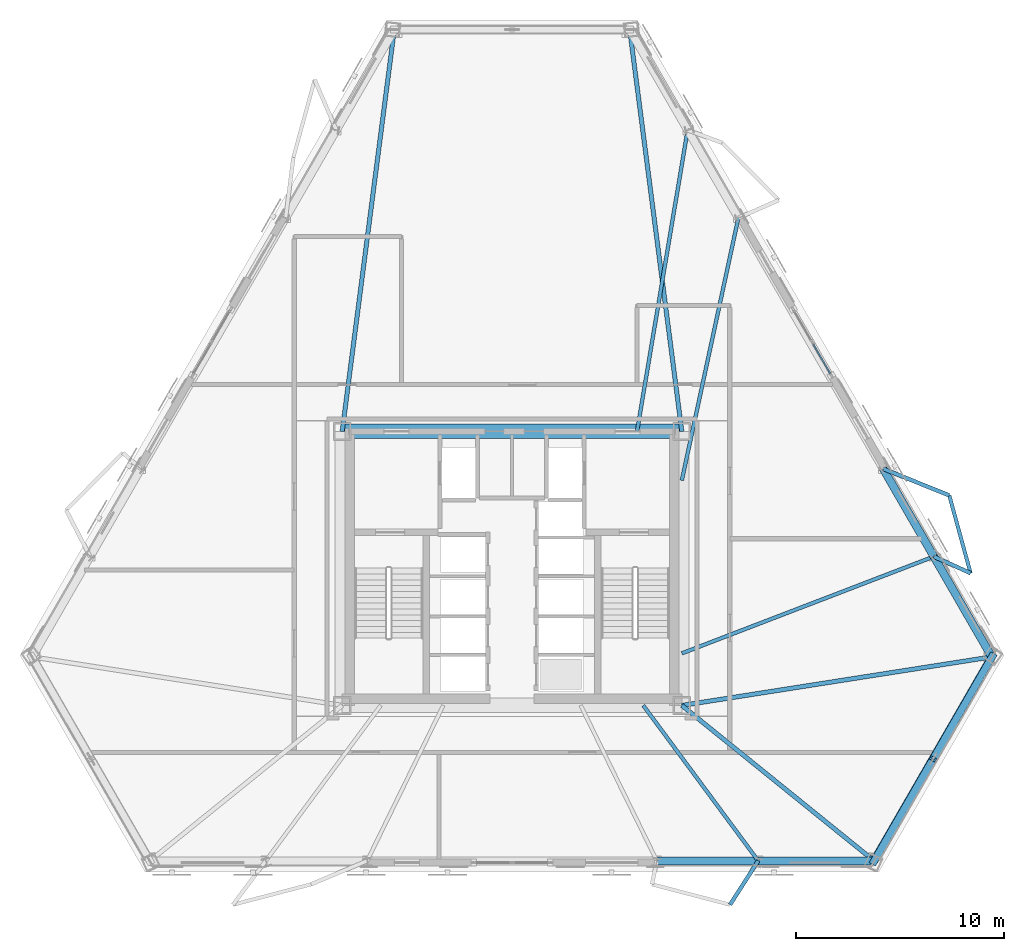
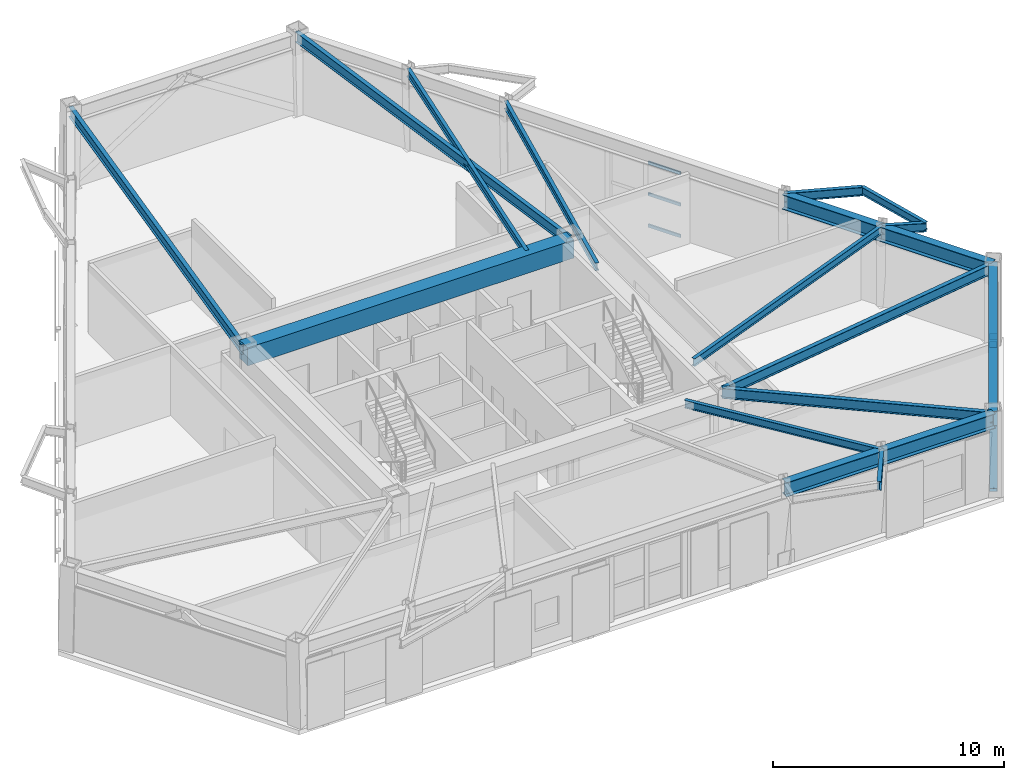
# One storey, part 5 of 14: 18 beams, 5 members, 1 element without a shape of its own.
"""IFC4 building model written with IfcOpenShell, lengths in metres."""

from ifc_helpers import new_model, si_unit, direction, frame, origin, origin_2d, place, context, subcontext, project, spatial, rectangle, hollow_rectangle, i_section, extrude, material, layer, layer_set, material_profile, profile_set, type_object, element, aggregate, save


model = new_model("IFC4")

# Units and contexts
model_context = context("Model", 3, precision=1e-05, world=origin(), true_north=direction((0.0, 1.0)))
body_context = subcontext(model_context, "Body", "Model", "MODEL_VIEW")
ifc_project = project(units=[si_unit("LENGTHUNIT", "METRE"), si_unit("AREAUNIT", "SQUARE_METRE"), si_unit("VOLUMEUNIT", "CUBIC_METRE"), si_unit("PLANEANGLEUNIT", "RADIAN"), si_unit("MASSUNIT", "GRAM", prefix="KILO")], contexts=[model_context])

# Site, building, storey
site_placement = place(None, origin())
site = spatial("IfcSite", under=ifc_project, at=site_placement, CompositionType="ELEMENT")
building_placement = place(site_placement, origin())
building = spatial("IfcBuilding", under=site, at=building_placement, Name="Oramaril Tower", CompositionType="ELEMENT")
storey_placement = place(building_placement, frame((0.0, 0.0, 107.699951171875)))
storey = spatial("IfcBuildingStorey", under=building, at=storey_placement, Name="L28", CompositionType="ELEMENT", Elevation=107.699951171875)

# Beams
ifc_material_1 = material(Name="Steel ASTM A572 Gr 50", Category="steel")
ifc_material_profile_1 = material_profile(ifc_material_1, i_section(OverallWidth=0.19091796875, OverallDepth=0.45703125, WebThickness=0.009033203125, FlangeThickness=0.014404296875, at=origin_2d()), Name="W18X50")
ifc_profile_set_1 = profile_set([ifc_material_profile_1], Name="Steel ASTM A572 Gr 50")
beam_type_1 = type_object("IfcBeamType", Name="BT-BB1", PredefinedType="BEAM", material=ifc_profile_set_1)
beam_1_placement = place(storey_placement, frame((49.315185546875, 3.544677734375, 4.031494140625), z_axis=(-0.540038084188, -0.841640581024, 0.0), x_axis=(0.841640581024, -0.540038084188, 0.0)))
element("IfcBeam", 1, at=beam_1_placement, inside=storey, type_object=beam_type_1, Name="L28 Balcony Column-Framed Cantilever 02.2", PredefinedType="BEAM", context=body_context, shape_type="SweptSolid", body=[
    extrude(i_section(OverallWidth=0.19091796875, OverallDepth=0.45703125, WebThickness=0.009033203125, FlangeThickness=0.014404296875, at=origin_2d()), origin(), (0.0, 0.0, 1.0), 2.504638671875),
])
beam_2_placement = place(storey_placement, frame((57.744873046875, 18.1455078125, 4.031494140625), z_axis=(0.91101767038, -0.412367317152, 0.0), x_axis=(0.412367317152, 0.91101767038, 0.0)))
element("IfcBeam", 2, at=beam_2_placement, inside=storey, type_object=beam_type_1, Name="L28 Balcony Column-Framed Cantilever 03.1", PredefinedType="BEAM", context=body_context, shape_type="SweptSolid", body=[
    extrude(i_section(OverallWidth=0.19091796875, OverallDepth=0.45703125, WebThickness=0.009033203125, FlangeThickness=0.014404296875, at=origin_2d()), origin(), (0.0, 0.0, 1.0), 1.935302734375),
])
beam_3_placement = place(storey_placement, frame((55.312255859375, 22.358642578125, 4.031494140625), z_axis=(0.927479000832, -0.373875250605, 0.0), x_axis=(0.373875250605, 0.927479000832, 0.0)))
element("IfcBeam", 3, at=beam_3_placement, inside=storey, type_object=beam_type_1, Name="L28 Balcony Column-Framed Cantilever 03.2", PredefinedType="BEAM", context=body_context, shape_type="SweptSolid", body=[
    extrude(i_section(OverallWidth=0.19091796875, OverallDepth=0.45703125, WebThickness=0.009033203125, FlangeThickness=0.014404296875, at=origin_2d()), origin(), (0.0, 0.0, 1.0), 3.42041015625),
])
ifc_material_2 = material(Name="Concrete C50/60", Category="concrete")
ifc_material_profile_2 = material_profile(ifc_material_2, rectangle(XDim=0.699951171875, YDim=0.949951171875, at=origin_2d()), Name="CB700X950")
ifc_profile_set_2 = profile_set([ifc_material_profile_2], Name="Concrete C50/60")
beam_type_2 = type_object("IfcBeamType", Name="BT-CB1", PredefinedType="BEAM", material=ifc_profile_set_2)
beam_4_placement = place(storey_placement, frame((45.64990234375, 24.14990234375, 3.78515625), z_axis=(-1.0, 0.0, 0.0), x_axis=(0.0, -1.0, 0.0)))
element("IfcBeam", 4, at=beam_4_placement, inside=storey, type_object=beam_type_2, Name="L28 Core Header Beam CB-3", PredefinedType="BEAM", context=body_context, shape_type="SweptSolid", body=[
    extrude(rectangle(XDim=0.699951171875, YDim=0.949951171875, at=origin_2d()), origin(), (0.0, 0.0, 1.0), 16.2998046875),
])
ifc_material_3 = material(Name="Steel ASTM A572 Gr 50", Category="steel")
ifc_material_profile_3 = material_profile(ifc_material_3, i_section(OverallWidth=0.2099609375, OverallDepth=0.535888671875, WebThickness=0.010986328125, FlangeThickness=0.017333984375, at=origin_2d()), Name="W21X68")
ifc_profile_set_3 = profile_set([ifc_material_profile_3], Name="Steel ASTM A572 Gr 50")
beam_type_3 = type_object("IfcBeamType", Name="BT-FB2", PredefinedType="BEAM", material=ifc_profile_set_3)
beam_5_placement = place(storey_placement, frame((45.64990234375, 11.0, 3.991943359375), z_axis=(0.777764688717, -0.628555557596, 0.0), x_axis=(0.628555557596, 0.777764688717, 0.0)))
element("IfcBeam", 5, at=beam_5_placement, inside=storey, type_object=beam_type_3, Name="L28 Radial Primary Beam RB-03", PredefinedType="BEAM", context=body_context, shape_type="SweptSolid", body=[
    extrude(i_section(OverallWidth=0.2099609375, OverallDepth=0.535888671875, WebThickness=0.010986328125, FlangeThickness=0.017333984375, at=origin_2d()), origin(), (0.0, 0.0, 1.0), 11.861083984375),
])
beam_6_placement = place(storey_placement, frame((45.64990234375, 11.0, 3.991943359375), z_axis=(0.987950124028, 0.154772582948, 0.0), x_axis=(-0.154772582948, 0.987950124028, 0.0)))
element("IfcBeam", 6, at=beam_6_placement, inside=storey, type_object=beam_type_3, Name="L28 Radial Primary Beam RB-04", PredefinedType="BEAM", context=body_context, shape_type="SweptSolid", body=[
    extrude(i_section(OverallWidth=0.2099609375, OverallDepth=0.535888671875, WebThickness=0.010986328125, FlangeThickness=0.017333984375, at=origin_2d()), origin(), (0.0, 0.0, 1.0), 15.056396484375),
])
for number, where, z_axis, x_axis, name in (
    (7, (45.64990234375, 24.14990234375, 3.991943359375), (-0.128637299421, 0.991691708747, 0.0), (-0.991691708747, -0.128637299421, 0.0), "L28 Radial Primary Beam RB-05"),
    (8, (29.35009765625, 24.14990234375, 3.991943359375), (0.128637299421, 0.991691708747, 0.0), (-0.991691708747, 0.128637299421, 0.0), "L28 Radial Primary Beam RB-06"),
):
    element("IfcBeam", number, at=place(storey_placement, frame(where, z_axis=z_axis, x_axis=x_axis)), inside=storey, type_object=beam_type_3, Name=name, PredefinedType="BEAM", context=body_context, shape_type="SweptSolid", body=[
        extrude(i_section(OverallWidth=0.2099609375, OverallDepth=0.535888671875, WebThickness=0.010986328125, FlangeThickness=0.017333984375, at=origin_2d()), origin(), (0.0, 0.0, 1.0), 19.436279296875),
    ])
ifc_material_4 = material(Name="Steel ASTM A572 Gr 50", Category="steel")
ifc_material_profile_4 = material_profile(ifc_material_4, i_section(OverallWidth=0.177978515625, OverallDepth=0.404052734375, WebThickness=0.007568359375, FlangeThickness=0.010986328125, at=origin_2d()), Name="W16X36")
ifc_profile_set_4 = profile_set([ifc_material_profile_4], Name="Steel ASTM A572 Gr 50")
beam_type_4 = type_object("IfcBeamType", Name="BT-SB1", PredefinedType="BEAM", material=ifc_profile_set_4)
beam_7_placement = place(storey_placement, frame((43.800048828125, 11.0, 4.05810546875), z_axis=(0.594717455273, -0.803934791132, 0.0), x_axis=(0.803934791132, 0.594717455273, 0.0)))
element("IfcBeam", 9, at=beam_7_placement, inside=storey, type_object=beam_type_4, Name="L28 Secondary Floor Beam SB-04", PredefinedType="BEAM", context=body_context, shape_type="SweptSolid", body=[
    extrude(i_section(OverallWidth=0.177978515625, OverallDepth=0.404052734375, WebThickness=0.007568359375, FlangeThickness=0.010986328125, at=origin_2d()), origin(), (0.0, 0.0, 1.0), 9.2734375),
])
beam_8_placement = place(storey_placement, frame((45.64990234375, 13.5, 4.05810546875), z_axis=(0.933511113384, 0.358548464211, 0.0), x_axis=(-0.358548464211, 0.933511113384, 0.0)))
element("IfcBeam", 10, at=beam_8_placement, inside=storey, type_object=beam_type_4, Name="L28 Secondary Floor Beam SB-05", PredefinedType="BEAM", context=body_context, shape_type="SweptSolid", body=[
    extrude(i_section(OverallWidth=0.177978515625, OverallDepth=0.404052734375, WebThickness=0.007568359375, FlangeThickness=0.010986328125, at=origin_2d()), origin(), (0.0, 0.0, 1.0), 12.95654296875),
])
beam_9_placement = place(storey_placement, frame((45.64990234375, 21.800048828125, 4.05810546875), z_axis=(0.210505932055, 0.97759258005, 0.0), x_axis=(-0.97759258005, 0.210505932055, 0.0)))
element("IfcBeam", 11, at=beam_9_placement, inside=storey, type_object=beam_type_4, Name="L28 Secondary Floor Beam SB-06", PredefinedType="BEAM", context=body_context, shape_type="SweptSolid", body=[
    extrude(i_section(OverallWidth=0.177978515625, OverallDepth=0.404052734375, WebThickness=0.007568359375, FlangeThickness=0.010986328125, at=origin_2d()), origin(), (0.0, 0.0, 1.0), 12.88525390625),
])
beam_10_placement = place(storey_placement, frame((43.5, 24.14990234375, 4.05810546875), z_axis=(0.165705681521, 0.986175251723, 0.0), x_axis=(-0.986175251723, 0.165705681521, 0.0)))
element("IfcBeam", 12, at=beam_10_placement, inside=storey, type_object=beam_type_4, Name="L28 Secondary Floor Beam SB-07", PredefinedType="BEAM", context=body_context, shape_type="SweptSolid", body=[
    extrude(i_section(OverallWidth=0.177978515625, OverallDepth=0.404052734375, WebThickness=0.007568359375, FlangeThickness=0.010986328125, at=origin_2d()), origin(), (0.0, 0.0, 1.0), 14.66259765625),
])
beam_11_placement = place(storey_placement, frame((59.508056640625, 17.347412109375, 4.05810546875), z_axis=(-0.264440915482, 0.964401888332, 0.0), x_axis=(-0.964401888332, -0.264440915482, 0.0)))
element("IfcBeam", 13, at=beam_11_placement, inside=storey, type_object=beam_type_4, Name="L28 Balcony Edge Tie Beam 03", PredefinedType="BEAM", context=body_context, shape_type="SweptSolid", body=[
    extrude(i_section(OverallWidth=0.177978515625, OverallDepth=0.404052734375, WebThickness=0.007568359375, FlangeThickness=0.010986328125, at=origin_2d()), origin(), (0.0, 0.0, 1.0), 3.8701171875),
])
ifc_material_5 = material(Name="Steel ASTM A572 Gr 50", Category="steel")
ifc_material_profile_5 = material_profile(ifc_material_5, i_section(OverallWidth=0.381103515625, OverallDepth=0.77197265625, WebThickness=0.0166015625, FlangeThickness=0.027099609375, at=origin_2d()), Name="W30X173")
ifc_profile_set_5 = profile_set([ifc_material_profile_5], Name="Steel ASTM A572 Gr 50")
beam_type_5 = type_object("IfcBeamType", Name="BT-SP2", PredefinedType="SPANDREL", material=ifc_profile_set_5)
beam_12_placement = place(storey_placement, frame((44.449951171875, 3.544677734375, 3.8740234375), z_axis=(1.0, 0.0, 0.0), x_axis=(0.0, 1.0, 0.0)))
element("IfcBeam", 14, at=beam_12_placement, inside=storey, type_object=beam_type_5, Name="L28 Perimeter Spandrel 05", PredefinedType="SPANDREL", context=body_context, shape_type="SweptSolid", body=[
    extrude(i_section(OverallWidth=0.381103515625, OverallDepth=0.77197265625, WebThickness=0.0166015625, FlangeThickness=0.027099609375, at=origin_2d()), origin(), (0.0, 0.0, 1.0), 4.865234375),
])
beam_13_placement = place(storey_placement, frame((49.315185546875, 3.544677734375, 3.8740234375), z_axis=(1.0, 0.0, 0.0), x_axis=(0.0, 1.0, 0.0)))
element("IfcBeam", 15, at=beam_13_placement, inside=storey, type_object=beam_type_5, Name="L28 Perimeter Spandrel 06", PredefinedType="SPANDREL", context=body_context, shape_type="SweptSolid", body=[
    extrude(i_section(OverallWidth=0.381103515625, OverallDepth=0.77197265625, WebThickness=0.0166015625, FlangeThickness=0.027099609375, at=origin_2d()), origin(), (0.0, 0.0, 1.0), 5.559814453125),
])
beam_14_placement = place(storey_placement, frame((54.875, 3.544677734375, 3.8740234375), z_axis=(0.500010476433, 0.866019355129, 0.0), x_axis=(-0.866019355129, 0.500010476433, 0.0)))
element("IfcBeam", 16, at=beam_14_placement, inside=storey, type_object=beam_type_5, Name="L28 Perimeter Spandrel 07", PredefinedType="SPANDREL", context=body_context, shape_type="SweptSolid", body=[
    extrude(i_section(OverallWidth=0.381103515625, OverallDepth=0.77197265625, WebThickness=0.0166015625, FlangeThickness=0.027099609375, at=origin_2d()), origin(), (0.0, 0.0, 1.0), 11.299560546875),
])
beam_15_placement = place(storey_placement, frame((60.52490234375, 13.330322265625, 3.8740234375), z_axis=(-0.49999738653, 0.866026912667, 0.0), x_axis=(-0.866026912667, -0.49999738653, 0.0)))
element("IfcBeam", 17, at=beam_15_placement, inside=storey, type_object=beam_type_5, Name="L28 Perimeter Spandrel 08", PredefinedType="SPANDREL", context=body_context, shape_type="SweptSolid", body=[
    extrude(i_section(OverallWidth=0.381103515625, OverallDepth=0.77197265625, WebThickness=0.0166015625, FlangeThickness=0.027099609375, at=origin_2d()), origin(), (0.0, 0.0, 1.0), 5.56005859375),
])
beam_16_placement = place(storey_placement, frame((57.744873046875, 18.1455078125, 3.8740234375), z_axis=(-0.50002508151, 0.866010922483, 0.0), x_axis=(-0.866010922483, -0.50002508151, 0.0)))
element("IfcBeam", 18, at=beam_16_placement, inside=storey, type_object=beam_type_5, Name="L28 Perimeter Spandrel 09", PredefinedType="SPANDREL", context=body_context, shape_type="SweptSolid", body=[
    extrude(i_section(OverallWidth=0.381103515625, OverallDepth=0.77197265625, WebThickness=0.0166015625, FlangeThickness=0.027099609375, at=origin_2d()), origin(), (0.0, 0.0, 1.0), 4.864990234375),
])

# Curtain wall, members
ifc_material_6 = material(Name="Anodised Aluminium 6063-T6", Category="aluminium")
ifc_layer = layer(ifc_material_6, 0.219970703125)
ifc_layer_set = layer_set([ifc_layer], Name="CWT-SYS5")
curtain_wall_type = type_object("IfcCurtainWallType", Name="CWT-SYS5", PredefinedType="NOTDEFINED", material=ifc_layer_set)
curtain_wall_placement = place(storey_placement, origin())
curtain_wall = element("IfcCurtainWall", 19, at=curtain_wall_placement, inside=storey, type_object=curtain_wall_type, Name="L28 Unitised Curtain Wall CW-5", PredefinedType="NOTDEFINED")
ifc_material_7 = material(Name="Anodised Aluminium 6063-T6", Category="aluminium")
ifc_material_profile_6 = material_profile(ifc_material_7, hollow_rectangle(XDim=0.070068359375, YDim=0.159912109375, WallThickness=0.00390625, at=origin_2d()), Name="CWT160X70")
ifc_profile_set_6 = profile_set([ifc_material_profile_6], Name="Anodised Aluminium 6063-T6")
member_type_1 = type_object("IfcMemberType", Name="MT-CWT1", PredefinedType="USERDEFINED", material=ifc_profile_set_6)
member_1_placement = place(storey_placement, frame((52.776123046875, 26.922119140625, 0.080078125), z_axis=(-0.499883351328, 0.866092740453, 0.0), x_axis=(-0.866092740453, -0.499883351328, 0.0)))
member_1 = element("IfcMember", 20, at=member_1_placement, type_object=member_type_1, Name="CW-5 transom 1.1", ObjectType="TRANSOM", PredefinedType="USERDEFINED", context=body_context, shape_type="SweptSolid", body=[
    extrude(hollow_rectangle(XDim=0.070068359375, YDim=0.159912109375, WallThickness=0.00390625, at=origin_2d()), origin(), (0.0, 0.0, 1.0), 1.6201171875),
])
member_2_placement = place(storey_placement, frame((52.776123046875, 26.922119140625, 1.739013671875), z_axis=(-0.499883351328, 0.866092740453, 0.0), x_axis=(-0.866092740453, -0.499883351328, 0.0)))
member_2 = element("IfcMember", 21, at=member_2_placement, type_object=member_type_1, Name="CW-5 transom 1.2", ObjectType="TRANSOM", PredefinedType="USERDEFINED", context=body_context, shape_type="SweptSolid", body=[
    extrude(hollow_rectangle(XDim=0.070068359375, YDim=0.159912109375, WallThickness=0.00390625, at=origin_2d()), origin(), (0.0, 0.0, 1.0), 1.6201171875),
])
member_3_placement = place(storey_placement, frame((52.776123046875, 26.922119140625, 3.39794921875), z_axis=(-0.499883351328, 0.866092740453, 0.0), x_axis=(-0.866092740453, -0.499883351328, 0.0)))
member_3 = element("IfcMember", 22, at=member_3_placement, type_object=member_type_1, Name="CW-5 transom 1.3", ObjectType="TRANSOM", PredefinedType="USERDEFINED", context=body_context, shape_type="SweptSolid", body=[
    extrude(hollow_rectangle(XDim=0.070068359375, YDim=0.159912109375, WallThickness=0.00390625, at=origin_2d()), origin(), (0.0, 0.0, 1.0), 1.6201171875),
])
aggregate(curtain_wall, [member_1, member_2, member_3])

# Members
ifc_material_8 = material(Name="Steel ASTM A572 Gr 50", Category="steel")
ifc_material_profile_7 = material_profile(ifc_material_8, hollow_rectangle(XDim=0.35009765625, YDim=0.35009765625, WallThickness=0.01611328125, at=origin_2d()), Name="HSS350X350X16")
ifc_profile_set_7 = profile_set([ifc_material_profile_7], Name="Steel ASTM A572 Gr 50")
member_type_2 = type_object("IfcMemberType", Name="MT-KB1", PredefinedType="BRACE", material=ifc_profile_set_7)
for number, where, z_axis, x_axis, name in (
    (23, (54.836669921875, 3.45947265625, 0.179931640625), (0.42050638623, 0.728350956032, 0.540998395549), (-0.86602912844, 0.499993548652, 0.0), "L28 Perimeter Chevron Brace KB-2A"),
    (24, (60.57958984375, 13.40625, 0.179931640625), (-0.420535817595, -0.72834000512, 0.540990261522), (0.866010719802, -0.500025432542, 0.0), "L28 Perimeter Chevron Brace KB-2B"),
):
    element("IfcMember", number, at=place(storey_placement, frame(where, z_axis=z_axis, x_axis=x_axis)), inside=storey, type_object=member_type_2, Name=name, PredefinedType="BRACE", context=body_context, shape_type="SweptSolid", body=[
        extrude(hollow_rectangle(XDim=0.35009765625, YDim=0.35009765625, WallThickness=0.01611328125, at=origin_2d()), origin(), (0.0, 0.0, 1.0), 6.828369140625),
    ])

save(model, "model.ifc")
